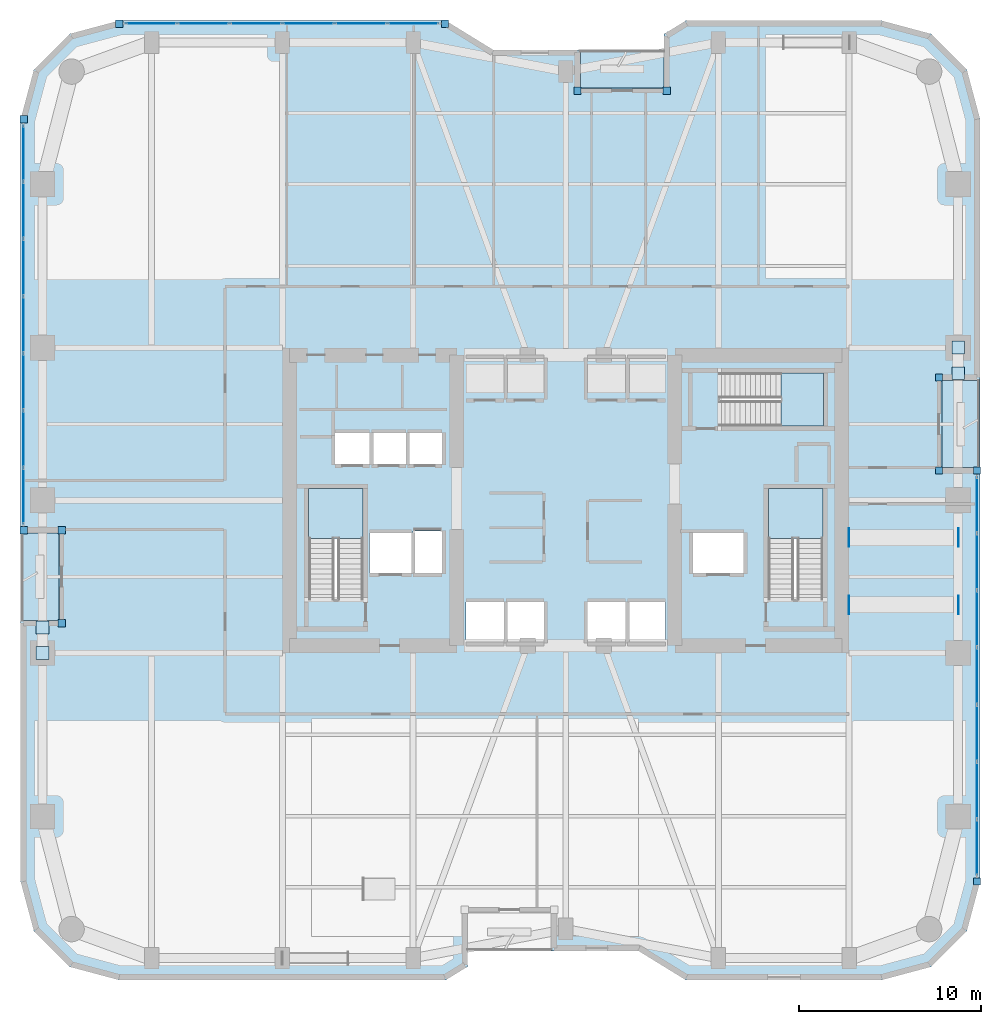
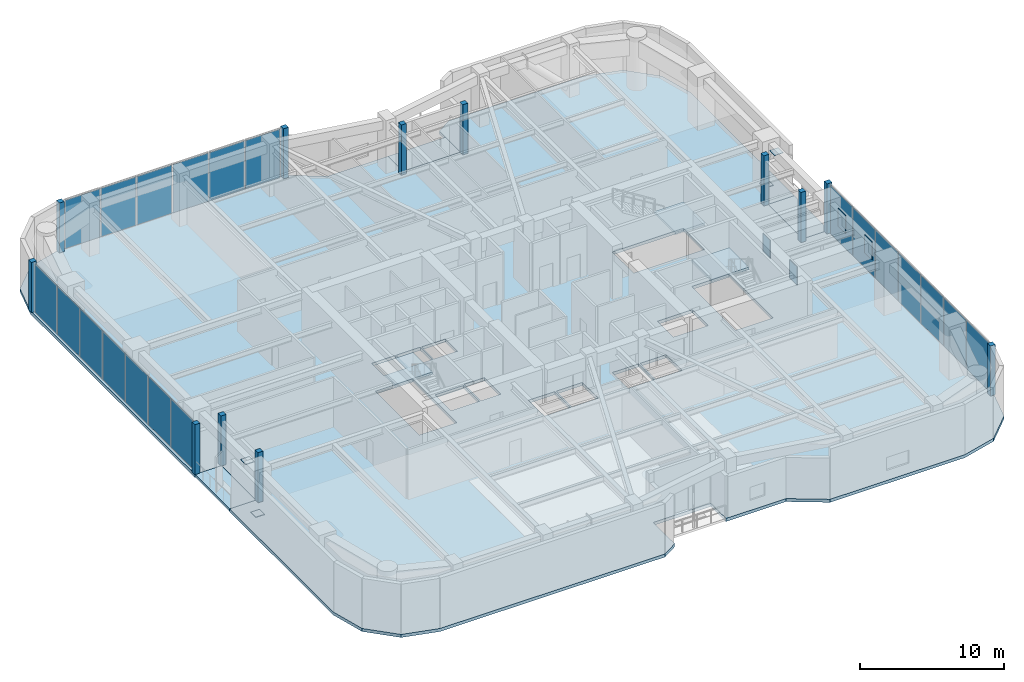
# One storey, part 12 of 23: 40 plates, 7 slabs, 6 elements without a shape of their own.
"""IFC4 building model written with IfcOpenShell, lengths in metres."""

from ifc_helpers import new_model, si_unit, direction, frame, origin, origin_2d, place, context, subcontext, project, spatial, polyline, rectangle, outline, extrude, material, layer, layer_set, type_object, element, aggregate, save


model = new_model("IFC4")

# Units and contexts
model_context = context("Model", 3, precision=1e-05, world=origin(), true_north=direction((0.0, 1.0)))
body_context = subcontext(model_context, "Body", "Model", "MODEL_VIEW")
ifc_project = project(units=[si_unit("LENGTHUNIT", "METRE"), si_unit("AREAUNIT", "SQUARE_METRE"), si_unit("VOLUMEUNIT", "CUBIC_METRE"), si_unit("PLANEANGLEUNIT", "RADIAN"), si_unit("MASSUNIT", "GRAM", prefix="KILO")], contexts=[model_context])

# Site, building, storey
site_placement = place(None, origin())
site = spatial("IfcSite", under=ifc_project, at=site_placement, CompositionType="ELEMENT")
building_placement = place(site_placement, origin())
building = spatial("IfcBuilding", under=site, at=building_placement, Name="Kiyonajd Concourse Tower", CompositionType="ELEMENT")
storey_placement = place(building_placement, frame((0.0, 0.0, 120.89990234375)))
storey = spatial("IfcBuildingStorey", under=building, at=storey_placement, Name="L31", CompositionType="ELEMENT", Elevation=120.89990234375)

# Plates
ifc_material_1 = material(Name="Steel ASTM A572 Grade 50", Category="steel")
ifc_layer_1 = layer(ifc_material_1, 0.028076171875)
ifc_layer_set_1 = layer_set([ifc_layer_1], Name="Steel ASTM A572 Grade 50")
plate_type_1 = type_object("IfcPlateType", Name="PL-CAP-450", PredefinedType="USERDEFINED", material=ifc_layer_set_1)
for number, where, z_axis, x_axis, name in (
    (1, (19.199951171875, 27.595947265625, 0.27587890625), (0.0, 0.0, 1.0), (1.0, 0.0, 0.0), "L31 Hollow Brace End Cap Plate PBW"),
    (2, (19.199951171875, 29.00390625, 3.88623046875), (0.0, 0.0, 1.0), (1.0, 0.0, 0.0), "L31 Hollow Brace Top Cap Plate PBW"),
    (3, (69.60009765625, 44.404052734375, 0.27587890625), (0.0, 0.0, 1.0), (1.0, 0.0, 0.0), "L31 Hollow Brace End Cap Plate PBE"),
    (4, (69.60009765625, 42.99609375, 3.88623046875), (0.0, 0.0, 1.0), (1.0, 0.0, 0.0), "L31 Hollow Brace Top Cap Plate PBE"),
):
    element("IfcPlate", number, at=place(storey_placement, frame(where, z_axis=z_axis, x_axis=x_axis)), inside=storey, type_object=plate_type_1, Name=name, ObjectType="CAP PLATE", PredefinedType="USERDEFINED", context=body_context, shape_type="SweptSolid", body=[
        extrude(rectangle(XDim=0.7099609375, YDim=0.7099609375, at=origin_2d()), origin(), (0.0, 0.0, 1.0), 0.028076171875),
    ])
ifc_layer_2 = layer(ifc_material_1, 0.031982421875)
ifc_layer_set_2 = layer_set([ifc_layer_2], Name="Steel ASTM A572 Grade 50")
plate_type_2 = type_object("IfcPlateType", Name="PL-CAP-540", PredefinedType="USERDEFINED", material=ifc_layer_set_2)
for number, where, z_axis, x_axis, name in (
    (5, (63.589111328125, 30.25, 2.77001953125), (0.0, 0.0, 1.0), (-1.0, 0.0, 0.0), "L31 Welded Box Girder End Cap"),
    (6, (69.611083984375, 30.25, 2.77001953125), (0.0, 0.0, 1.0), (1.0, 0.0, 0.0), "L31 Welded Box Girder End Cap"),
    (7, (63.589111328125, 33.949951171875, 2.77001953125), (0.0, 0.0, 1.0), (-1.0, 0.0, 0.0), "L31 Welded Box Girder End Cap"),
    (8, (69.611083984375, 33.949951171875, 2.77001953125), (0.0, 0.0, 1.0), (1.0, 0.0, 0.0), "L31 Welded Box Girder End Cap"),
):
    element("IfcPlate", number, at=place(storey_placement, frame(where, z_axis=z_axis, x_axis=x_axis)), inside=storey, type_object=plate_type_2, Name=name, ObjectType="CAP PLATE", PredefinedType="USERDEFINED", context=body_context, shape_type="SweptSolid", body=[
        extrude(rectangle(XDim=0.035888671875, YDim=1.02001953125, at=origin_2d()), origin(), (0.0, 0.0, 1.0), 1.5400390625),
    ])

# Curtain wall, plates
ifc_material_2 = material(Name="Thermally Broken Anodised Aluminium", Category="aluminium")
ifc_layer_3 = layer(ifc_material_2, 0.179931640625)
ifc_layer_set_3 = layer_set([ifc_layer_3], Name="Thermally Broken Anodised Aluminium")
curtain_wall_type = type_object("IfcCurtainWallType", Name="CW-SYS-05", PredefinedType="NOTDEFINED", material=ifc_layer_set_3)
curtain_wall_1_placement = place(storey_placement, origin())
curtain_wall_1 = element("IfcCurtainWall", 9, at=curtain_wall_1_placement, inside=storey, type_object=curtain_wall_type, Name="L31 Unitised Curtain Wall CW5", PredefinedType="NOTDEFINED")
ifc_material_3 = material(Name="Double Low-E Insulated Glass", Category="glass")
ifc_layer_4 = layer(ifc_material_3, 0.0400390625)
ifc_layer_set_4 = layer_set([ifc_layer_4], Name="Double Low-E Insulated Glass")
plate_type_3 = type_object("IfcPlateType", Name="PL-CW-VIS40", PredefinedType="CURTAIN_PANEL", material=ifc_layer_set_4)
plate_1_placement = place(storey_placement, frame((18.159912109375, 36.242919921875, 0.0751953125), z_axis=(0.0, 0.0, 1.0), x_axis=(0.0, 1.0, 0.0)))
plate_1 = element("IfcPlate", 10, at=plate_1_placement, type_object=plate_type_3, Name="CW5 panel 1.1", PredefinedType="CURTAIN_PANEL", context=body_context, shape_type="SweptSolid", body=[
    extrude(rectangle(XDim=3.035888671875, YDim=0.0400390625, at=origin_2d()), origin(), (0.0, 0.0, 1.0), 4.090087890625),
])
plate_2_placement = place(storey_placement, frame((18.159912109375, 39.37255859375, 0.0751953125), z_axis=(0.0, 0.0, 1.0), x_axis=(0.0, 1.0, 0.0)))
plate_2 = element("IfcPlate", 11, at=plate_2_placement, type_object=plate_type_3, Name="CW5 panel 2.1", PredefinedType="CURTAIN_PANEL", context=body_context, shape_type="SweptSolid", body=[
    extrude(rectangle(XDim=3.073486328125, YDim=0.0400390625, at=origin_2d()), origin(), (0.0, 0.0, 1.0), 4.090087890625),
])
plate_3_placement = place(storey_placement, frame((18.159912109375, 42.52099609375, 0.0751953125), z_axis=(0.0, 0.0, 1.0), x_axis=(0.0, 1.0, 0.0)))
plate_3 = element("IfcPlate", 12, at=plate_3_placement, type_object=plate_type_3, Name="CW5 panel 3.1", PredefinedType="CURTAIN_PANEL", context=body_context, shape_type="SweptSolid", body=[
    extrude(rectangle(XDim=3.073486328125, YDim=0.0400390625, at=origin_2d()), origin(), (0.0, 0.0, 1.0), 4.090087890625),
])
plate_4_placement = place(storey_placement, frame((18.159912109375, 45.66943359375, 0.0751953125), z_axis=(0.0, 0.0, 1.0), x_axis=(0.0, 1.0, 0.0)))
plate_4 = element("IfcPlate", 13, at=plate_4_placement, type_object=plate_type_3, Name="CW5 panel 4.1", PredefinedType="CURTAIN_PANEL", context=body_context, shape_type="SweptSolid", body=[
    extrude(rectangle(XDim=3.073486328125, YDim=0.0400390625, at=origin_2d()), origin(), (0.0, 0.0, 1.0), 4.090087890625),
])
plate_5_placement = place(storey_placement, frame((18.159912109375, 48.81787109375, 0.0751953125), z_axis=(0.0, 0.0, 1.0), x_axis=(0.0, 1.0, 0.0)))
plate_5 = element("IfcPlate", 14, at=plate_5_placement, type_object=plate_type_3, Name="CW5 panel 5.1", PredefinedType="CURTAIN_PANEL", context=body_context, shape_type="SweptSolid", body=[
    extrude(rectangle(XDim=3.073486328125, YDim=0.0400390625, at=origin_2d()), origin(), (0.0, 0.0, 1.0), 4.090087890625),
])
plate_6_placement = place(storey_placement, frame((18.159912109375, 51.96630859375, 0.0751953125), z_axis=(0.0, 0.0, 1.0), x_axis=(0.0, 1.0, 0.0)))
plate_6 = element("IfcPlate", 15, at=plate_6_placement, type_object=plate_type_3, Name="CW5 panel 6.1", PredefinedType="CURTAIN_PANEL", context=body_context, shape_type="SweptSolid", body=[
    extrude(rectangle(XDim=3.073486328125, YDim=0.0400390625, at=origin_2d()), origin(), (0.0, 0.0, 1.0), 4.090087890625),
])
plate_7_placement = place(storey_placement, frame((18.159912109375, 55.095947265625, 0.0751953125), z_axis=(0.0, 0.0, 1.0), x_axis=(0.0, 1.0, 0.0)))
plate_7 = element("IfcPlate", 16, at=plate_7_placement, type_object=plate_type_3, Name="CW5 panel 7.1", PredefinedType="CURTAIN_PANEL", context=body_context, shape_type="SweptSolid", body=[
    extrude(rectangle(XDim=3.035888671875, YDim=0.0400390625, at=origin_2d()), origin(), (0.0, 0.0, 1.0), 4.090087890625),
])
aggregate(curtain_wall_1, [plate_1, plate_2, plate_3, plate_4, plate_5, plate_6, plate_7])

curtain_wall_2_placement = place(storey_placement, origin())
curtain_wall_2 = element("IfcCurtainWall", 17, at=curtain_wall_2_placement, inside=storey, type_object=curtain_wall_type, Name="L31 Unitised Curtain Wall CW5", PredefinedType="NOTDEFINED")
plate_8_placement = place(storey_placement, frame((25.176025390625, 62.239990234375, 0.0751953125), z_axis=(0.0, 0.0, 1.0), x_axis=(1.0, 0.0, 0.0)))
plate_8 = element("IfcPlate", 18, at=plate_8_placement, type_object=plate_type_3, Name="CW5 panel 1.1", PredefinedType="CURTAIN_PANEL", context=body_context, shape_type="SweptSolid", body=[
    extrude(rectangle(XDim=2.77978515625, YDim=0.0400390625, at=origin_2d()), origin(), (0.0, 0.0, 1.0), 4.090087890625),
])
plate_9_placement = place(storey_placement, frame((28.049560546875, 62.239990234375, 0.0751953125), z_axis=(0.0, 0.0, 1.0), x_axis=(1.0, 0.0, 0.0)))
plate_9 = element("IfcPlate", 19, at=plate_9_placement, type_object=plate_type_3, Name="CW5 panel 2.1", PredefinedType="CURTAIN_PANEL", context=body_context, shape_type="SweptSolid", body=[
    extrude(rectangle(XDim=2.8173828125, YDim=0.0400390625, at=origin_2d()), origin(), (0.0, 0.0, 1.0), 4.090087890625),
])
plate_10_placement = place(storey_placement, frame((30.941650390625, 62.239990234375, 0.0751953125), z_axis=(0.0, 0.0, 1.0), x_axis=(1.0, 0.0, 0.0)))
plate_10 = element("IfcPlate", 20, at=plate_10_placement, type_object=plate_type_3, Name="CW5 panel 3.1", PredefinedType="CURTAIN_PANEL", context=body_context, shape_type="SweptSolid", body=[
    extrude(rectangle(XDim=2.8173828125, YDim=0.0400390625, at=origin_2d()), origin(), (0.0, 0.0, 1.0), 4.090087890625),
])
plate_11_placement = place(storey_placement, frame((33.833984375, 62.239990234375, 0.0751953125), z_axis=(0.0, 0.0, 1.0), x_axis=(1.0, 0.0, 0.0)))
plate_11 = element("IfcPlate", 21, at=plate_11_placement, type_object=plate_type_3, Name="CW5 panel 4.1", PredefinedType="CURTAIN_PANEL", context=body_context, shape_type="SweptSolid", body=[
    extrude(rectangle(XDim=2.8173828125, YDim=0.0400390625, at=origin_2d()), origin(), (0.0, 0.0, 1.0), 4.090087890625),
])
plate_12_placement = place(storey_placement, frame((36.726318359375, 62.239990234375, 0.0751953125), z_axis=(0.0, 0.0, 1.0), x_axis=(1.0, 0.0, 0.0)))
plate_12 = element("IfcPlate", 22, at=plate_12_placement, type_object=plate_type_3, Name="CW5 panel 5.1", PredefinedType="CURTAIN_PANEL", context=body_context, shape_type="SweptSolid", body=[
    extrude(rectangle(XDim=2.8173828125, YDim=0.0400390625, at=origin_2d()), origin(), (0.0, 0.0, 1.0), 4.090087890625),
])
plate_13_placement = place(storey_placement, frame((39.599853515625, 62.239990234375, 0.0751953125), z_axis=(0.0, 0.0, 1.0), x_axis=(1.0, 0.0, 0.0)))
plate_13 = element("IfcPlate", 23, at=plate_13_placement, type_object=plate_type_3, Name="CW5 panel 6.1", PredefinedType="CURTAIN_PANEL", context=body_context, shape_type="SweptSolid", body=[
    extrude(rectangle(XDim=2.77978515625, YDim=0.0400390625, at=origin_2d()), origin(), (0.0, 0.0, 1.0), 4.090087890625),
])
aggregate(curtain_wall_2, [plate_8, plate_9, plate_10, plate_11, plate_12, plate_13])

curtain_wall_3_placement = place(storey_placement, origin())
curtain_wall_3 = element("IfcCurtainWall", 24, at=curtain_wall_3_placement, inside=storey, type_object=curtain_wall_type, Name="L31 Unitised Curtain Wall CW5", PredefinedType="NOTDEFINED")
plate_14_placement = place(storey_placement, frame((70.639892578125, 35.757080078125, 0.0751953125), z_axis=(0.0, 0.0, 1.0), x_axis=(0.0, -1.0, 0.0)))
plate_14 = element("IfcPlate", 25, at=plate_14_placement, type_object=plate_type_3, Name="CW5 panel 1.1", PredefinedType="CURTAIN_PANEL", context=body_context, shape_type="SweptSolid", body=[
    extrude(rectangle(XDim=3.035888671875, YDim=0.0400390625, at=origin_2d()), origin(), (0.0, 0.0, 1.0), 4.090087890625),
])
plate_15_placement = place(storey_placement, frame((70.639892578125, 32.62744140625, 0.0751953125), z_axis=(0.0, 0.0, 1.0), x_axis=(0.0, -1.0, 0.0)))
plate_15 = element("IfcPlate", 26, at=plate_15_placement, type_object=plate_type_3, Name="CW5 panel 2.1", PredefinedType="CURTAIN_PANEL", context=body_context, shape_type="SweptSolid", body=[
    extrude(rectangle(XDim=3.073486328125, YDim=0.0400390625, at=origin_2d()), origin(), (0.0, 0.0, 1.0), 4.090087890625),
])
plate_16_placement = place(storey_placement, frame((70.639892578125, 29.47900390625, 0.0751953125), z_axis=(0.0, 0.0, 1.0), x_axis=(0.0, -1.0, 0.0)))
plate_16 = element("IfcPlate", 27, at=plate_16_placement, type_object=plate_type_3, Name="CW5 panel 3.1", PredefinedType="CURTAIN_PANEL", context=body_context, shape_type="SweptSolid", body=[
    extrude(rectangle(XDim=3.073486328125, YDim=0.0400390625, at=origin_2d()), origin(), (0.0, 0.0, 1.0), 4.090087890625),
])
plate_17_placement = place(storey_placement, frame((70.639892578125, 26.33056640625, 0.0751953125), z_axis=(0.0, 0.0, 1.0), x_axis=(0.0, -1.0, 0.0)))
plate_17 = element("IfcPlate", 28, at=plate_17_placement, type_object=plate_type_3, Name="CW5 panel 4.1", PredefinedType="CURTAIN_PANEL", context=body_context, shape_type="SweptSolid", body=[
    extrude(rectangle(XDim=3.073486328125, YDim=0.0400390625, at=origin_2d()), origin(), (0.0, 0.0, 1.0), 4.090087890625),
])
plate_18_placement = place(storey_placement, frame((70.639892578125, 23.18212890625, 0.0751953125), z_axis=(0.0, 0.0, 1.0), x_axis=(0.0, -1.0, 0.0)))
plate_18 = element("IfcPlate", 29, at=plate_18_placement, type_object=plate_type_3, Name="CW5 panel 5.1", PredefinedType="CURTAIN_PANEL", context=body_context, shape_type="SweptSolid", body=[
    extrude(rectangle(XDim=3.073486328125, YDim=0.0400390625, at=origin_2d()), origin(), (0.0, 0.0, 1.0), 4.090087890625),
])
plate_19_placement = place(storey_placement, frame((70.639892578125, 20.03369140625, 0.0751953125), z_axis=(0.0, 0.0, 1.0), x_axis=(0.0, -1.0, 0.0)))
plate_19 = element("IfcPlate", 30, at=plate_19_placement, type_object=plate_type_3, Name="CW5 panel 6.1", PredefinedType="CURTAIN_PANEL", context=body_context, shape_type="SweptSolid", body=[
    extrude(rectangle(XDim=3.073486328125, YDim=0.0400390625, at=origin_2d()), origin(), (0.0, 0.0, 1.0), 4.090087890625),
])
plate_20_placement = place(storey_placement, frame((70.639892578125, 16.904052734375, 0.0751953125), z_axis=(0.0, 0.0, 1.0), x_axis=(0.0, -1.0, 0.0)))
plate_20 = element("IfcPlate", 31, at=plate_20_placement, type_object=plate_type_3, Name="CW5 panel 7.1", PredefinedType="CURTAIN_PANEL", context=body_context, shape_type="SweptSolid", body=[
    extrude(rectangle(XDim=3.035888671875, YDim=0.0400390625, at=origin_2d()), origin(), (0.0, 0.0, 1.0), 4.090087890625),
])
aggregate(curtain_wall_3, [plate_14, plate_15, plate_16, plate_17, plate_18, plate_19, plate_20])

# Plates
ifc_layer_5 = layer(ifc_material_2, 0.39990234375)
ifc_layer_set_5 = layer_set([ifc_layer_5], Name="Thermally Broken Anodised Aluminium")
plate_type_4 = type_object("IfcPlateType", Name="PL-JMB-400", PredefinedType="USERDEFINED", material=ifc_layer_set_5)
for number, where, z_axis, x_axis, name in (
    (32, (20.260009765625, 29.239990234375, 0.0), (0.0, 0.0, 1.0), (1.0, 0.0, 0.0), "L31 Facade Jamb Closure Plate 01"),
    (33, (20.260009765625, 34.360107421875, 0.0), (0.0, 0.0, 1.0), (1.0, 0.0, 0.0), "L31 Facade Jamb Closure Plate 02"),
    (34, (18.159912109375, 34.360107421875, 0.0), (0.0, 0.0, 1.0), (1.0, 0.0, 0.0), "L31 Facade Jamb Closure Plate 03"),
    (35, (18.159912109375, 56.97900390625, 0.0), (0.0, 0.0, 1.0), (1.0, 0.0, 0.0), "L31 Facade Jamb Closure Plate 04"),
    (36, (23.421142578125, 62.239990234375, 0.0), (0.0, 0.0, 1.0), (1.0, 0.0, 0.0), "L31 Facade Jamb Closure Plate 05"),
    (37, (41.354736328125, 62.239990234375, 0.0), (0.0, 0.0, 1.0), (1.0, 0.0, 0.0), "L31 Facade Jamb Closure Plate 06"),
    (38, (48.639892578125, 58.5400390625, 0.0), (0.0, 0.0, 1.0), (1.0, 0.0, 0.0), "L31 Facade Jamb Closure Plate 07"),
    (39, (53.56005859375, 58.5400390625, 0.0), (0.0, 0.0, 1.0), (1.0, 0.0, 0.0), "L31 Facade Jamb Closure Plate 08"),
    (40, (68.5400390625, 42.760009765625, 0.0), (0.0, 0.0, 1.0), (1.0, 0.0, 0.0), "L31 Facade Jamb Closure Plate 09"),
    (41, (68.5400390625, 37.639892578125, 0.0), (0.0, 0.0, 1.0), (1.0, 0.0, 0.0), "L31 Facade Jamb Closure Plate 10"),
    (42, (70.639892578125, 37.639892578125, 0.0), (0.0, 0.0, 1.0), (1.0, 0.0, 0.0), "L31 Facade Jamb Closure Plate 11"),
    (43, (70.639892578125, 15.02099609375, 0.0), (0.0, 0.0, 1.0), (1.0, 0.0, 0.0), "L31 Facade Jamb Closure Plate 12"),
):
    element("IfcPlate", number, at=place(storey_placement, frame(where, z_axis=z_axis, x_axis=x_axis)), inside=storey, type_object=plate_type_4, Name=name, ObjectType="JAMB PLATE", PredefinedType="USERDEFINED", context=body_context, shape_type="SweptSolid", body=[
        extrude(rectangle(XDim=0.39990234375, YDim=0.39990234375, at=origin_2d()), origin(), (0.0, 0.0, 1.0), 4.239990234375),
    ])

# Stair, slab
ifc_material_4 = material(Name="Concrete C40/50", Category="concrete")
stair_type = type_object("IfcStairType", Name="ST-DLG-26R", PredefinedType="HALF_TURN_STAIR", material=ifc_material_4)
stair_1_placement = place(storey_placement, origin())
stair_1 = element("IfcStair", 44, at=stair_1_placement, inside=storey, type_object=stair_type, Name="L31 Protected Exit Stair ST1", PredefinedType="HALF_TURN_STAIR")
ifc_layer_6 = layer(ifc_material_4, 0.199951171875)
ifc_layer_set_6 = layer_set([ifc_layer_6], Name="Concrete C40/50")
slab_type_1 = type_object("IfcSlabType", Name="SL-LND-200", PredefinedType="LANDING", material=ifc_layer_set_6)
slab_1_placement = place(storey_placement, frame((0.0, 0.0, 2.050048828125)))
slab_1 = element("IfcSlab", 45, at=slab_1_placement, type_object=slab_type_1, Name="ST1 landing 1", PredefinedType="LANDING", context=body_context, shape_type="SweptSolid", body=[
    extrude(outline(polyline([(36.85009765625, 33.909912109375), (36.85009765625, 36.64990234375), (33.85009765625, 36.64990234375), (33.85009765625, 33.909912109375), (36.85009765625, 33.909912109375)])), origin(), (0.0, 0.0, 1.0), 0.199951171875),
])
aggregate(stair_1, [slab_1])

stair_2_placement = place(storey_placement, origin())
stair_2 = element("IfcStair", 46, at=stair_2_placement, inside=storey, type_object=stair_type, Name="L31 Protected Exit Stair ST2", PredefinedType="HALF_TURN_STAIR")
slab_2_placement = place(storey_placement, frame((0.0, 0.0, 2.050048828125)))
slab_2 = element("IfcSlab", 47, at=slab_2_placement, type_object=slab_type_1, Name="ST2 landing 1", PredefinedType="LANDING", context=body_context, shape_type="SweptSolid", body=[
    extrude(outline(polyline([(62.14990234375, 33.909912109375), (62.14990234375, 36.64990234375), (59.14990234375, 36.64990234375), (59.14990234375, 33.909912109375), (62.14990234375, 33.909912109375)])), origin(), (0.0, 0.0, 1.0), 0.199951171875),
])
aggregate(stair_2, [slab_2])

stair_3_placement = place(storey_placement, origin())
stair_3 = element("IfcStair", 48, at=stair_3_placement, inside=storey, type_object=stair_type, Name="L31 Protected Exit Stair ST3", PredefinedType="HALF_TURN_STAIR")
slab_3_placement = place(storey_placement, frame((0.0, 0.0, 2.050048828125)))
slab_3 = element("IfcSlab", 49, at=slab_3_placement, type_object=slab_type_1, Name="ST3 landing 1", PredefinedType="LANDING", context=body_context, shape_type="SweptSolid", body=[
    extrude(outline(polyline([(59.840087890625, 40.080078125), (62.179931640625, 40.080078125), (62.179931640625, 43.02001953125), (59.840087890625, 43.02001953125), (59.840087890625, 40.080078125)])), origin(), (0.0, 0.0, 1.0), 0.199951171875),
])
aggregate(stair_3, [slab_3])

# Slabs
ifc_material_5 = material(Name="Precast concrete C50/60", Category="concrete")
ifc_layer_7 = layer(ifc_material_5, 0.199951171875)
ifc_layer_set_7 = layer_set([ifc_layer_7], Name="Precast concrete C50/60")
slab_type_2 = type_object("IfcSlabType", Name="SL-LOG-200", PredefinedType="FLOOR", material=ifc_layer_set_7)
slab_4_placement = place(storey_placement, frame((0.0, 0.0, -0.199951171875)))
element("IfcSlab", 50, at=slab_4_placement, inside=storey, type_object=slab_type_2, Name="L31 Recessed Engawa Loggia Terrace Slab LOG-N", PredefinedType="FLOOR", context=body_context, shape_type="SweptSolid", body=[
    extrude(outline(polyline([(48.800048828125, 58.699951171875), (53.39990234375, 58.699951171875), (53.39990234375, 60.800048828125), (48.800048828125, 60.800048828125), (48.800048828125, 58.699951171875)])), origin(), (0.0, 0.0, 1.0), 0.199951171875),
])
slab_5_placement = place(storey_placement, frame((0.0, 0.0, -0.199951171875)))
element("IfcSlab", 51, at=slab_5_placement, inside=storey, type_object=slab_type_2, Name="L31 Recessed Engawa Loggia Terrace Slab LOG-W", PredefinedType="FLOOR", context=body_context, shape_type="SweptSolid", body=[
    extrude(outline(polyline([(18.0, 29.39990234375), (20.10009765625, 29.39990234375), (20.10009765625, 34.199951171875), (18.0, 34.199951171875), (18.0, 29.39990234375)])), origin(), (0.0, 0.0, 1.0), 0.199951171875),
])
slab_6_placement = place(storey_placement, frame((0.0, 0.0, -0.199951171875)))
element("IfcSlab", 52, at=slab_6_placement, inside=storey, type_object=slab_type_2, Name="L31 Recessed Engawa Loggia Terrace Slab LOG-E", PredefinedType="FLOOR", context=body_context, shape_type="SweptSolid", body=[
    extrude(outline(polyline([(68.699951171875, 37.800048828125), (70.800048828125, 37.800048828125), (70.800048828125, 42.60009765625), (68.699951171875, 42.60009765625), (68.699951171875, 37.800048828125)])), origin(), (0.0, 0.0, 1.0), 0.199951171875),
])
ifc_layer_8 = layer(ifc_material_4, 0.260009765625)
ifc_layer_set_8 = layer_set([ifc_layer_8], Name="Concrete C40/50")
slab_type_3 = type_object("IfcSlabType", Name="SL-TWR-260", PredefinedType="FLOOR", material=ifc_layer_set_8)
slab_7_placement = place(storey_placement, frame((0.0, 0.0, -0.260009765625)))
element("IfcSlab", 53, at=slab_7_placement, inside=storey, type_object=slab_type_3, Name="L31 Tower Conditioned Floor Slab", PredefinedType="FLOOR", context=body_context, shape_type="SweptSolid", body=[
    extrude(outline(polyline([(18.722900390625, 12.300048828125), (18.0, 15.0), (18.0, 29.39990234375), (20.10009765625, 29.39990234375), (20.10009765625, 34.199951171875), (18.0, 34.199951171875), (18.0, 57.0), (18.722900390625, 59.699951171875), (20.699951171875, 61.677001953125), (23.39990234375, 62.39990234375), (41.39990234375, 62.39990234375), (44.0, 60.800048828125), (48.800048828125, 60.800048828125), (48.800048828125, 58.699951171875), (53.39990234375, 58.699951171875), (53.39990234375, 61.662109375), (54.60009765625, 62.39990234375), (65.39990234375, 62.39990234375), (68.10009765625, 61.677001953125), (70.076904296875, 59.699951171875), (70.800048828125, 57.0), (70.800048828125, 42.60009765625), (68.699951171875, 42.60009765625), (68.699951171875, 37.800048828125), (70.800048828125, 37.800048828125), (70.800048828125, 15.0), (70.076904296875, 12.300048828125), (68.10009765625, 10.322998046875), (65.39990234375, 9.60009765625), (54.60009765625, 9.60009765625), (52.0, 11.199951171875), (47.199951171875, 11.199951171875), (47.199951171875, 13.300048828125), (42.60009765625, 13.300048828125), (42.60009765625, 10.337890625), (41.39990234375, 9.60009765625), (23.39990234375, 9.60009765625), (20.699951171875, 10.322998046875), (18.722900390625, 12.300048828125)]), holes=[polyline([(44.60009765625, 28.199951171875), (42.5, 28.199951171875), (42.5, 30.39990234375), (44.60009765625, 30.39990234375), (44.60009765625, 28.199951171875)]), polyline([(37.199951171875, 32.0), (37.199951171875, 34.199951171875), (39.5, 34.199951171875), (39.5, 32.0), (37.199951171875, 32.0)]), polyline([(39.60009765625, 32.0), (39.60009765625, 34.300048828125), (41.199951171875, 34.300048828125), (41.199951171875, 32.0), (39.60009765625, 32.0)]), polyline([(36.85009765625, 30.550048828125), (33.85009765625, 30.550048828125), (33.85009765625, 36.64990234375), (36.85009765625, 36.64990234375), (36.85009765625, 30.550048828125)]), polyline([(35.300048828125, 38.0), (35.300048828125, 39.699951171875), (37.199951171875, 39.699951171875), (37.199951171875, 38.0), (35.300048828125, 38.0)]), polyline([(37.300048828125, 38.0), (37.300048828125, 39.699951171875), (39.199951171875, 39.699951171875), (39.199951171875, 38.0), (37.300048828125, 38.0)]), polyline([(41.199951171875, 38.0), (39.300048828125, 38.0), (39.300048828125, 39.699951171875), (41.199951171875, 39.699951171875), (41.199951171875, 38.0)]), polyline([(44.699951171875, 28.199951171875), (44.699951171875, 30.39990234375), (46.800048828125, 30.39990234375), (46.800048828125, 28.199951171875), (44.699951171875, 28.199951171875)]), polyline([(49.199951171875, 28.199951171875), (49.199951171875, 30.39990234375), (51.300048828125, 30.39990234375), (51.300048828125, 28.199951171875), (49.199951171875, 28.199951171875)]), polyline([(51.39990234375, 28.199951171875), (51.39990234375, 30.39990234375), (53.5, 30.39990234375), (53.5, 28.199951171875), (51.39990234375, 28.199951171875)]), polyline([(55.0, 32.0), (55.0, 34.199951171875), (57.800048828125, 34.199951171875), (57.800048828125, 32.0), (55.0, 32.0)]), polyline([(59.14990234375, 30.550048828125), (59.14990234375, 36.64990234375), (62.14990234375, 36.64990234375), (62.14990234375, 30.550048828125), (59.14990234375, 30.550048828125)]), polyline([(56.47998046875, 43.02001953125), (62.179931640625, 43.02001953125), (62.179931640625, 40.080078125), (56.47998046875, 40.080078125), (56.47998046875, 43.02001953125)])]), origin(), (0.0, 0.0, 1.0), 0.260009765625),
])

save(model, "model.ifc")
